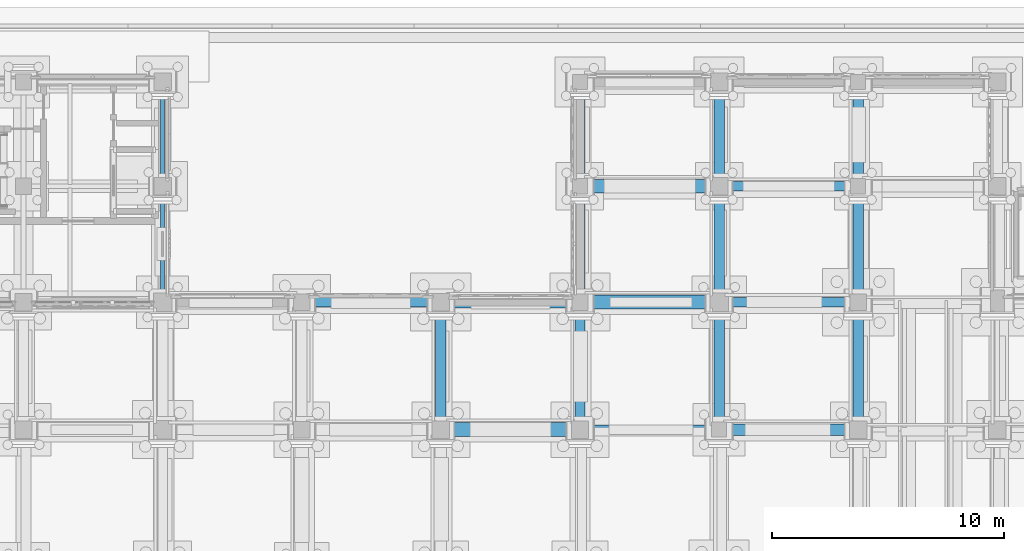
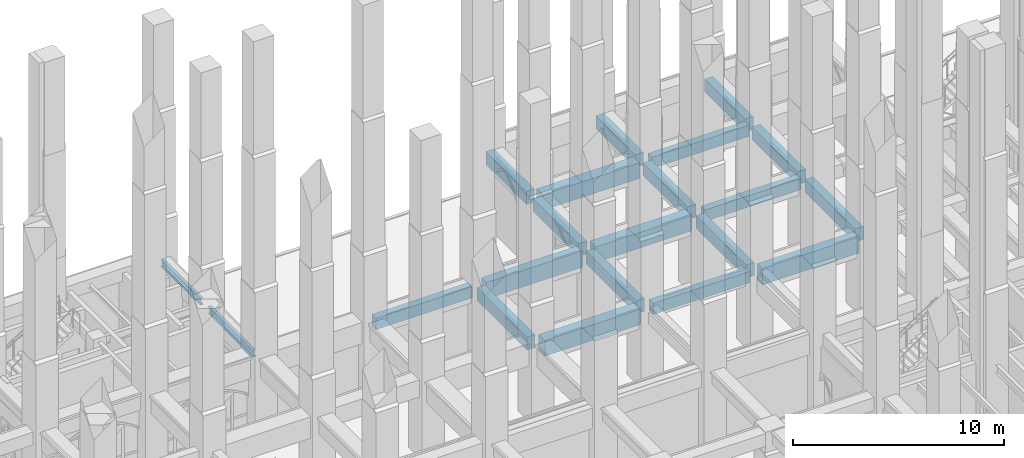
# One storey, part 34 of 135: 21 beams.
"""IFC4 building model written with IfcOpenShell, lengths in metres."""

from ifc_helpers import new_model, si_unit, direction, frame, origin, origin_2d, place, context, subcontext, project, spatial, rectangle, i_section, extrude, material, material_profile, profile_set, type_object, element, save


model = new_model("IFC4")

# Units and contexts
model_context = context("Model", 3, precision=1e-05, world=origin(), true_north=direction((0.0, 1.0)))
body_context = subcontext(model_context, "Body", "Model", "MODEL_VIEW")
ifc_project = project(units=[si_unit("LENGTHUNIT", "METRE"), si_unit("AREAUNIT", "SQUARE_METRE"), si_unit("VOLUMEUNIT", "CUBIC_METRE"), si_unit("PLANEANGLEUNIT", "RADIAN"), si_unit("MASSUNIT", "GRAM", prefix="KILO")], contexts=[model_context])

# Site, building, storey
site_placement = place(None, origin())
site = spatial("IfcSite", under=ifc_project, at=site_placement, CompositionType="ELEMENT")
building_placement = place(site_placement, origin())
building = spatial("IfcBuilding", under=site, at=building_placement, Name="Cumevento Cable Car Station", CompositionType="ELEMENT")
storey_placement = place(building_placement, origin())
storey = spatial("IfcBuildingStorey", under=building, at=storey_placement, Name="L01", CompositionType="ELEMENT", Elevation=0.0)

# Beams
ifc_material_1 = material(Name="Concrete C40/50", Category="concrete")
ifc_material_profile_1 = material_profile(ifc_material_1, rectangle(XDim=0.60009765625, YDim=0.89990234375, at=origin_2d()), Name="RC600x900")
ifc_profile_set_1 = profile_set([ifc_material_profile_1], Name="Concrete C40/50")
beam_type_1 = type_object("IfcBeamType", Name="Structural Beam TB-01 RC600x900", PredefinedType="BEAM", material=ifc_profile_set_1)
for number, where, z_axis, x_axis, name in (
    (1, (46.375, 51.0, 3.800048828125), (1.0, 0.0, 0.0), (0.0, 1.0, 0.0), "Beam TB-01 L01 #133"),
    (2, (52.35009765625, 56.5, 3.800048828125), (1.0, 0.0, 0.0), (0.0, 1.0, 0.0), "Beam TB-01 L01 #163"),
):
    element("IfcBeam", number, at=place(storey_placement, frame(where, z_axis=z_axis, x_axis=x_axis)), inside=storey, type_object=beam_type_1, Name=name, PredefinedType="BEAM", context=body_context, shape_type="SweptSolid", body=[
        extrude(rectangle(XDim=0.60009765625, YDim=0.89990234375, at=origin_2d()), origin(), (0.0, 0.0, 1.0), 5.25),
    ])
beam_1_placement = place(storey_placement, frame((52.324951171875, 61.5, 3.800048828125), z_axis=(1.0, 0.0, 0.0), x_axis=(0.0, 1.0, 0.0)))
element("IfcBeam", 3, at=beam_1_placement, inside=storey, type_object=beam_type_1, Name="Beam TB-01 L01 #211", PredefinedType="BEAM", context=body_context, shape_type="SweptSolid", body=[
    extrude(rectangle(XDim=0.60009765625, YDim=0.89990234375, at=origin_2d()), origin(), (0.0, 0.0, 1.0), 5.300048828125),
])
ifc_material_2 = material(Name="Concrete C40/50", Category="concrete")
ifc_material_profile_2 = material_profile(ifc_material_2, rectangle(XDim=0.449951171875, YDim=0.75, at=origin_2d()), Name="RC450x750")
ifc_profile_set_2 = profile_set([ifc_material_profile_2], Name="Concrete C40/50")
beam_type_2 = type_object("IfcBeamType", Name="Structural Beam TB-02 RC450x750", PredefinedType="BEAM", material=ifc_profile_set_2)
beam_2_placement = place(storey_placement, frame((46.0, 51.375, 3.875), z_axis=(0.0, 1.0, 0.0), x_axis=(-1.0, 0.0, 0.0)))
element("IfcBeam", 4, at=beam_2_placement, inside=storey, type_object=beam_type_2, Name="Beam TB-02 L01 #148", PredefinedType="BEAM", context=body_context, shape_type="SweptSolid", body=[
    extrude(rectangle(XDim=0.449951171875, YDim=0.75, at=origin_2d()), origin(), (0.0, 0.0, 1.0), 4.75),
])
beam_3_placement = place(storey_placement, frame((52.0, 51.375, 3.875), z_axis=(0.0, 1.0, 0.0), x_axis=(-1.0, 0.0, 0.0)))
element("IfcBeam", 5, at=beam_3_placement, inside=storey, type_object=beam_type_2, Name="Beam TB-02 L01 #150", PredefinedType="BEAM", context=body_context, shape_type="SweptSolid", body=[
    extrude(rectangle(XDim=0.449951171875, YDim=0.75, at=origin_2d()), origin(), (0.0, 0.0, 1.0), 4.77490234375),
])
beam_4_placement = place(storey_placement, frame((58.0, 51.324951171875, 3.875), z_axis=(0.0, 1.0, 0.0), x_axis=(-1.0, 0.0, 0.0)))
element("IfcBeam", 6, at=beam_4_placement, inside=storey, type_object=beam_type_2, Name="Beam TB-02 L01 #166", PredefinedType="BEAM", context=body_context, shape_type="SweptSolid", body=[
    extrude(rectangle(XDim=0.449951171875, YDim=0.75, at=origin_2d()), origin(), (0.0, 0.0, 1.0), 4.775146484375),
])
beam_5_placement = place(storey_placement, frame((64.0, 51.375, 3.8349609375), z_axis=(0.0, 1.0, 0.0), x_axis=(-1.0, 0.0, 0.0)))
element("IfcBeam", 7, at=beam_5_placement, inside=storey, type_object=beam_type_2, Name="Beam TB-02 L01 #168", PredefinedType="BEAM", context=body_context, shape_type="SweptSolid", body=[
    extrude(rectangle(XDim=0.449951171875, YDim=0.75, at=origin_2d()), origin(), (0.0, 0.0, 1.0), 4.77490234375),
])
beam_6_placement = place(storey_placement, frame((52.0, 56.85009765625, 3.875), z_axis=(0.0, 1.0, 0.0), x_axis=(-1.0, 0.0, 0.0)))
element("IfcBeam", 8, at=beam_6_placement, inside=storey, type_object=beam_type_2, Name="Beam TB-02 L01 #217", PredefinedType="BEAM", context=body_context, shape_type="SweptSolid", body=[
    extrude(rectangle(XDim=0.449951171875, YDim=0.75, at=origin_2d()), origin(), (0.0, 0.0, 1.0), 4.324951171875),
])
beam_7_placement = place(storey_placement, frame((52.0, 61.824951171875, 3.875), z_axis=(0.0, 1.0, 0.0), x_axis=(-1.0, 0.0, 0.0)))
element("IfcBeam", 9, at=beam_7_placement, inside=storey, type_object=beam_type_2, Name="Beam TB-02 L01 #218", PredefinedType="BEAM", context=body_context, shape_type="SweptSolid", body=[
    extrude(rectangle(XDim=0.449951171875, YDim=0.75, at=origin_2d()), origin(), (0.0, 0.0, 1.0), 3.85009765625),
])
beam_8_placement = place(storey_placement, frame((58.0, 56.89990234375, 3.875), z_axis=(0.0, 1.0, 0.0), x_axis=(-1.0, 0.0, 0.0)))
element("IfcBeam", 10, at=beam_8_placement, inside=storey, type_object=beam_type_2, Name="Beam TB-02 L01 #219", PredefinedType="BEAM", context=body_context, shape_type="SweptSolid", body=[
    extrude(rectangle(XDim=0.449951171875, YDim=0.75, at=origin_2d()), origin(), (0.0, 0.0, 1.0), 4.22509765625),
])
beam_9_placement = place(storey_placement, frame((58.0, 61.875, 3.875), z_axis=(0.0, 1.0, 0.0), x_axis=(-1.0, 0.0, 0.0)))
element("IfcBeam", 11, at=beam_9_placement, inside=storey, type_object=beam_type_2, Name="Beam TB-02 L01 #220", PredefinedType="BEAM", context=body_context, shape_type="SweptSolid", body=[
    extrude(rectangle(XDim=0.449951171875, YDim=0.75, at=origin_2d()), origin(), (0.0, 0.0, 1.0), 3.75),
])
beam_10_placement = place(storey_placement, frame((64.0, 56.85009765625, 3.8349609375), z_axis=(0.0, 1.0, 0.0), x_axis=(-1.0, 0.0, 0.0)))
element("IfcBeam", 12, at=beam_10_placement, inside=storey, type_object=beam_type_2, Name="Beam TB-02 L01 #221", PredefinedType="BEAM", context=body_context, shape_type="SweptSolid", body=[
    extrude(rectangle(XDim=0.449951171875, YDim=0.75, at=origin_2d()), origin(), (0.0, 0.0, 1.0), 4.324951171875),
])
beam_11_placement = place(storey_placement, frame((64.0, 61.824951171875, 3.875), z_axis=(0.0, 1.0, 0.0), x_axis=(-1.0, 0.0, 0.0)))
element("IfcBeam", 13, at=beam_11_placement, inside=storey, type_object=beam_type_2, Name="Beam TB-02 L01 #222", PredefinedType="BEAM", context=body_context, shape_type="SweptSolid", body=[
    extrude(rectangle(XDim=0.449951171875, YDim=0.75, at=origin_2d()), origin(), (0.0, 0.0, 1.0), 3.85009765625),
])
ifc_material_3 = material(Name="Concrete C40/50", Category="concrete")
ifc_material_profile_3 = material_profile(ifc_material_3, rectangle(XDim=0.39990234375, YDim=0.64990234375, at=origin_2d()), Name="RC400x650")
ifc_profile_set_3 = profile_set([ifc_material_profile_3], Name="Concrete C40/50")
beam_type_3 = type_object("IfcBeamType", Name="Structural Beam TB-03 RC400x650", PredefinedType="BEAM", material=ifc_profile_set_3)
beam_12_placement = place(storey_placement, frame((40.35009765625, 56.5, 3.925048828125), z_axis=(1.0, 0.0, 0.0), x_axis=(0.0, 1.0, 0.0)))
element("IfcBeam", 14, at=beam_12_placement, inside=storey, type_object=beam_type_3, Name="Beam TB-03 L01 #137", PredefinedType="BEAM", context=body_context, shape_type="SweptSolid", body=[
    extrude(rectangle(XDim=0.39990234375, YDim=0.64990234375, at=origin_2d()), origin(), (0.0, 0.0, 1.0), 5.27490234375),
])
beam_13_placement = place(storey_placement, frame((52.375, 51.0, 3.925048828125), z_axis=(1.0, 0.0, 0.0), x_axis=(0.0, 1.0, 0.0)))
element("IfcBeam", 15, at=beam_13_placement, inside=storey, type_object=beam_type_3, Name="Beam TB-03 L01 #161", PredefinedType="BEAM", context=body_context, shape_type="SweptSolid", body=[
    extrude(rectangle(XDim=0.39990234375, YDim=0.64990234375, at=origin_2d()), origin(), (0.0, 0.0, 1.0), 5.300048828125),
])
beam_14_placement = place(storey_placement, frame((58.39990234375, 56.5, 3.885009765625), z_axis=(1.0, 0.0, 0.0), x_axis=(0.0, 1.0, 0.0)))
element("IfcBeam", 16, at=beam_14_placement, inside=storey, type_object=beam_type_3, Name="Beam TB-03 L01 #164", PredefinedType="BEAM", context=body_context, shape_type="SweptSolid", body=[
    extrude(rectangle(XDim=0.39990234375, YDim=0.64990234375, at=origin_2d()), origin(), (0.0, 0.0, 1.0), 5.25),
])
beam_15_placement = place(storey_placement, frame((58.375, 61.5, 3.925048828125), z_axis=(1.0, 0.0, 0.0), x_axis=(0.0, 1.0, 0.0)))
element("IfcBeam", 17, at=beam_15_placement, inside=storey, type_object=beam_type_3, Name="Beam TB-03 L01 #212", PredefinedType="BEAM", context=body_context, shape_type="SweptSolid", body=[
    extrude(rectangle(XDim=0.39990234375, YDim=0.64990234375, at=origin_2d()), origin(), (0.0, 0.0, 1.0), 5.300048828125),
])
ifc_material_4 = material(Name="Concrete C40/50", Category="concrete")
ifc_material_profile_4 = material_profile(ifc_material_4, rectangle(XDim=0.5, YDim=0.949951171875, at=origin_2d()), Name="RC500x950")
ifc_profile_set_4 = profile_set([ifc_material_profile_4], Name="Concrete C40/50")
beam_type_4 = type_object("IfcBeamType", Name="Structural Beam TB-04 RC500x950", PredefinedType="BEAM", material=ifc_profile_set_4)
beam_16_placement = place(storey_placement, frame((46.375, 56.5, 3.77490234375), z_axis=(1.0, 0.0, 0.0), x_axis=(0.0, 1.0, 0.0)))
element("IfcBeam", 18, at=beam_16_placement, inside=storey, type_object=beam_type_4, Name="Beam TB-04 L01 #138", PredefinedType="BEAM", context=body_context, shape_type="SweptSolid", body=[
    extrude(rectangle(XDim=0.5, YDim=0.949951171875, at=origin_2d()), origin(), (0.0, 0.0, 1.0), 5.27490234375),
])
beam_17_placement = place(storey_placement, frame((58.324951171875, 51.0, 3.735107421875), z_axis=(1.0, 0.0, 0.0), x_axis=(0.0, 1.0, 0.0)))
element("IfcBeam", 19, at=beam_17_placement, inside=storey, type_object=beam_type_4, Name="Beam TB-04 L01 #162", PredefinedType="BEAM", context=body_context, shape_type="SweptSolid", body=[
    extrude(rectangle(XDim=0.5, YDim=0.949951171875, at=origin_2d()), origin(), (0.0, 0.0, 1.0), 5.300048828125),
])
ifc_material_5 = material(Name="Steel ASTM A572 Grade 50", Category="steel")
ifc_material_profile_5 = material_profile(ifc_material_5, i_section(OverallWidth=0.177978515625, OverallDepth=0.406982421875, WebThickness=0.0078125, FlangeThickness=0.0126953125, at=origin_2d()), Name="W410x60.0")
ifc_profile_set_5 = profile_set([ifc_material_profile_5], Name="Steel ASTM A572 Grade 50")
beam_type_5 = type_object("IfcBeamType", Name="Structural Spandrel SP-01 W410x60.0", PredefinedType="SPANDREL", material=ifc_profile_set_5)
beam_18_placement = place(storey_placement, frame((34.0, 56.89990234375, 4.08447265625), z_axis=(0.0, 1.0, 0.0), x_axis=(-1.0, 0.0, 0.0)))
element("IfcBeam", 20, at=beam_18_placement, inside=storey, type_object=beam_type_5, Name="Beam SP-01 L01 #158", PredefinedType="SPANDREL", context=body_context, shape_type="SweptSolid", body=[
    extrude(i_section(OverallWidth=0.177978515625, OverallDepth=0.406982421875, WebThickness=0.0078125, FlangeThickness=0.0126953125, at=origin_2d()), origin(), (0.0, 0.0, 1.0), 4.22509765625),
])
beam_19_placement = place(storey_placement, frame((34.0, 61.875, 4.08447265625), z_axis=(0.0, 1.0, 0.0), x_axis=(-1.0, 0.0, 0.0)))
element("IfcBeam", 21, at=beam_19_placement, inside=storey, type_object=beam_type_5, Name="Beam SP-01 L01 #159", PredefinedType="SPANDREL", context=body_context, shape_type="SweptSolid", body=[
    extrude(i_section(OverallWidth=0.177978515625, OverallDepth=0.406982421875, WebThickness=0.0078125, FlangeThickness=0.0126953125, at=origin_2d()), origin(), (0.0, 0.0, 1.0), 3.75),
])

save(model, "model.ifc")
